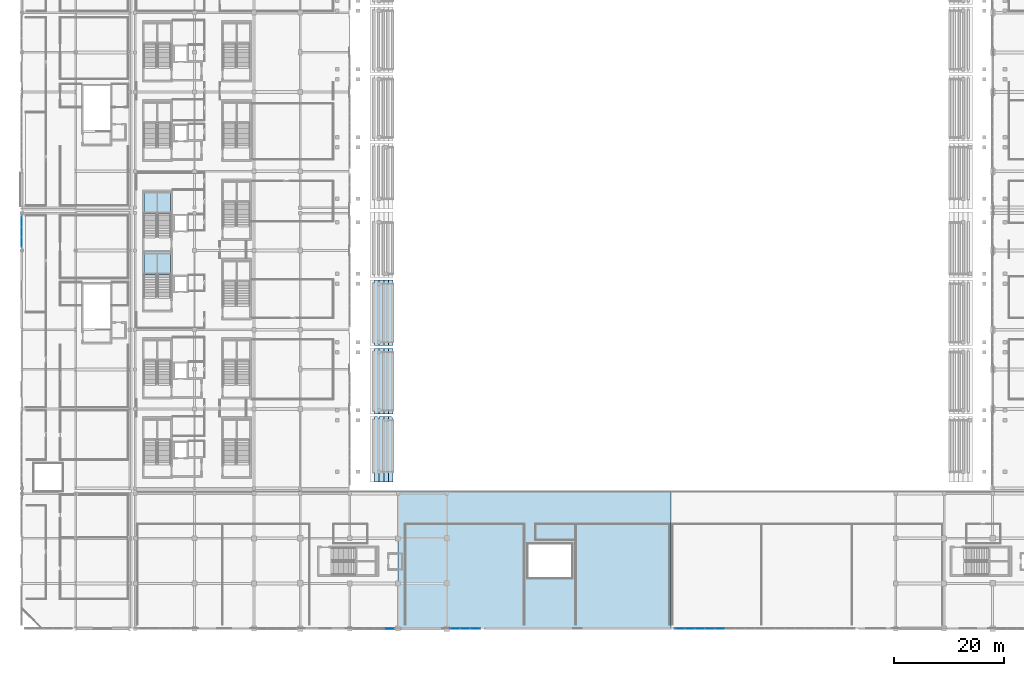
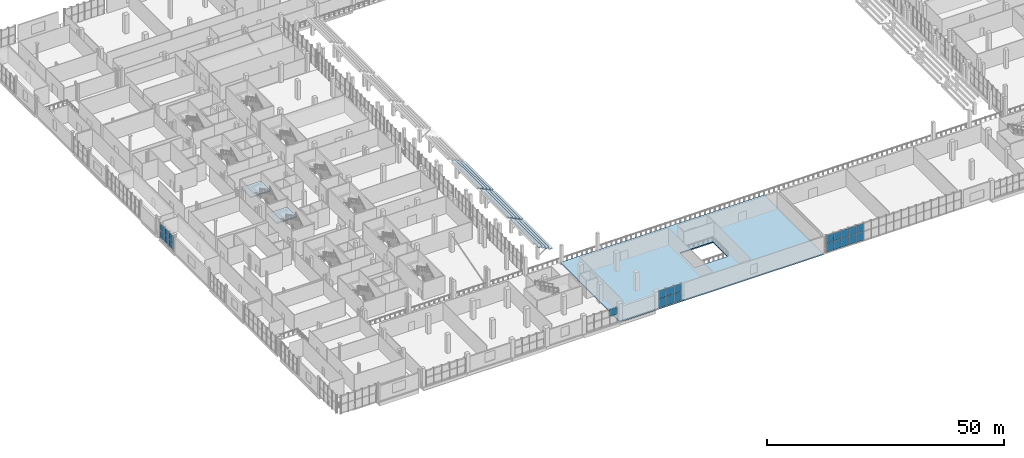
# One storey, part 75 of 142: 23 plates, 15 slabs, 6 elements without a shape of their own.
"""IFC4 building model written with IfcOpenShell, lengths in metres."""

import ifcopenshell
import ifcopenshell.guid

model = None  # the IFC model being written
_history = None  # IfcOwnerHistory: only IFC2X3 demands one
_inside = {}  # id of a spatial element -> (the spatial element, [elements in it])
_under = {}  # id of a project, library or spatial element -> (it, [spatial elements below it])
_declared = {}  # id of a project -> (the project, [libraries it declares])
_typed = {}  # id of a type object -> (the type object, [elements of that type])
_made_of = {}  # id of a material, layer set ... -> (it, [elements and type objects made of it])


def new_model(schema):
    """Start an empty IFC model of exactly this schema.

    Asked for "IFC4X3", IfcOpenShell would pick the latest addendum, in which some entities
    have other attributes; the version numbers below select the first issue.
    IFC2X3 requires an IfcOwnerHistory on every rooted entity: one is made here for all.
    """
    global model, _history
    if schema == "IFC4X3":
        model = ifcopenshell.file(schema_version=(4, 3, 0, 0))
    else:
        model = ifcopenshell.file(schema=schema)
    _inside.clear()
    _under.clear()
    _declared.clear()
    _typed.clear()
    _made_of.clear()
    _history = None
    if model.schema == "IFC2X3":
        org = make("IfcOrganization", Name="unknown")
        user = make(
            "IfcPersonAndOrganization",
            ThePerson=make("IfcPerson", FamilyName="unknown"),
            TheOrganization=org,
        )
        app = make(
            "IfcApplication",
            ApplicationDeveloper=org,
            Version="unknown",
            ApplicationFullName="unknown",
            ApplicationIdentifier="unknown",
        )
        _history = make(
            "IfcOwnerHistory",
            OwningUser=user,
            OwningApplication=app,
            ChangeAction="ADDED",
            CreationDate=0,
        )
    return model


def make(cls, **values):
    """One entity of the class cls with the attributes given. An attribute that is None is left unset."""
    return model.create_entity(
        cls, **{name: value for name, value in values.items() if value is not None}
    )


def rooted(cls, **values):
    """An entity with a GlobalId (a new one), such as an element, a storey or a relation."""
    return make(cls, GlobalId=ifcopenshell.guid.new(), OwnerHistory=_history, **values)


def si_unit(unit_type, name, prefix=None):
    """IfcSIUnit, for example si_unit("LENGTHUNIT", "METRE", prefix="MILLI")."""
    return make("IfcSIUnit", UnitType=unit_type, Prefix=prefix, Name=name)


def assignment(units):
    """IfcUnitAssignment: the units of a project."""
    return None if units is None else make("IfcUnitAssignment", Units=units)


def point(xyz):
    """IfcCartesianPoint."""
    return None if xyz is None else make("IfcCartesianPoint", Coordinates=xyz)


def direction(xyz):
    """IfcDirection."""
    return None if xyz is None else make("IfcDirection", DirectionRatios=xyz)


def frame(location, z_axis=None, x_axis=None):
    """IfcAxis2Placement3D, a coordinate frame: its origin and axes. An axis left out is left unset."""
    return make(
        "IfcAxis2Placement3D",
        Location=point(location),
        Axis=direction(z_axis),
        RefDirection=direction(x_axis),
    )


def frame_2d(location, x_axis=None):
    """IfcAxis2Placement2D, a coordinate frame in the plane: its origin and x axis."""
    return make(
        "IfcAxis2Placement2D", Location=point(location), RefDirection=direction(x_axis)
    )


def origin():
    """The frame at (0, 0, 0) with its axes left unset."""
    return frame((0.0, 0.0, 0.0))


def origin_2d():
    """The frame at (0, 0) in the plane with its x axis left unset."""
    return frame_2d((0.0, 0.0))


def place(relative_to, where):
    """IfcLocalPlacement: puts the frame where relative to a parent placement (None: the world)."""
    return make(
        "IfcLocalPlacement", PlacementRelTo=relative_to, RelativePlacement=where
    )


def context(
    kind, dimensions, precision=None, world=None, true_north=None, identifier=None
):
    """IfcGeometricRepresentationContext, for example the 3D "Model" context."""
    return make(
        "IfcGeometricRepresentationContext",
        ContextIdentifier=identifier,
        ContextType=kind,
        CoordinateSpaceDimension=dimensions,
        Precision=precision,
        WorldCoordinateSystem=world,
        TrueNorth=true_north,
    )


def subcontext(parent, identifier, kind, view, scale=None):
    """IfcGeometricRepresentationSubContext, for example "Body" below "Model"."""
    return make(
        "IfcGeometricRepresentationSubContext",
        ContextIdentifier=identifier,
        ContextType=kind,
        ParentContext=parent,
        TargetScale=scale,
        TargetView=view,
    )


def project(units=None, contexts=None):
    """IfcProject with its units and contexts."""
    return rooted(
        "IfcProject",
        Name="project",
        RepresentationContexts=contexts,
        UnitsInContext=assignment(units),
    )


def spatial(cls, under=None, at=None, **own):
    """A site, building, storey or space (cls), placed at a placement, below another one or the project."""
    s = rooted(cls, ObjectPlacement=at, **own)
    if under is not None:
        _under.setdefault(under.id(), (under, []))[1].append(s)
    return s


def polyline(points):
    """IfcPolyline through the points."""
    return make("IfcPolyline", Points=[point(p) for p in points])


def profile(cls, at=None, kind="AREA", **sizes):
    """A parametric profile (cls). Its sizes go by their IFC names, for example OverallWidth=200.0."""
    return make(cls, ProfileType=kind, Position=at, **sizes)


def rectangle(**sizes):
    """IfcRectangleProfileDef."""
    return profile("IfcRectangleProfileDef", **sizes)


def outline(outer, holes=None, kind="AREA"):
    """IfcArbitraryClosedProfileDef: a profile drawn as a closed curve; with holes, ...WithVoids."""
    if holes is None:
        return make("IfcArbitraryClosedProfileDef", ProfileType=kind, OuterCurve=outer)
    return make(
        "IfcArbitraryProfileDefWithVoids",
        ProfileType=kind,
        OuterCurve=outer,
        InnerCurves=holes,
    )


def extrude(swept, where, along, depth):
    """IfcExtrudedAreaSolid: the profile swept, set in the frame where, extruded along a direction by depth."""
    return make(
        "IfcExtrudedAreaSolid",
        SweptArea=swept,
        Position=where,
        ExtrudedDirection=direction(along),
        Depth=depth,
    )


def shape(context_of_items, identifier, shape_type, items):
    """IfcShapeRepresentation: the items that make up one representation, for example the "Body"."""
    return make(
        "IfcShapeRepresentation",
        ContextOfItems=context_of_items,
        RepresentationIdentifier=identifier,
        RepresentationType=shape_type,
        Items=items,
    )


def material(Name=None, Category=None):
    """IfcMaterial."""
    return make("IfcMaterial", Name=Name, Category=Category)


def layer(
    of_material, thickness, ventilated=None, Name=None, Category=None, Priority=None
):
    """IfcMaterialLayer: one layer of a wall or slab, of a material (None: an air gap)."""
    return make(
        "IfcMaterialLayer",
        Material=of_material,
        LayerThickness=thickness,
        IsVentilated=ventilated,
        Name=Name,
        Category=Category,
        Priority=Priority,
    )


def layer_set(layers, Name=None):
    """IfcMaterialLayerSet."""
    return make("IfcMaterialLayerSet", MaterialLayers=layers, LayerSetName=Name)


def made_of(thing, what):
    """Note that an element or type object is made of a material, layer set ...; save() writes the relation."""
    if what is not None:
        _made_of.setdefault(what.id(), (what, []))[1].append(thing)
    return thing


def type_object(cls, material=None, **own):
    """A type object (cls), such as IfcWallType, which elements share."""
    return made_of(rooted(cls, **own), material)


def element(
    cls,
    number,
    at=None,
    inside=None,
    cuts=None,
    type_object=None,
    material=None,
    context=None,
    identifier="Body",
    shape_type=None,
    held_by="IfcProductDefinitionShape",
    body=None,
    shapes=None,
    **own,
):
    """One element of the class cls, such as IfcWall. Its Tag is "e" and its number.

    at: its placement. inside: the storey or other place that contains it. cuts: it is an
    opening in that element (IfcRelVoidsElement). A single representation is given by context,
    identifier, shape_type and body (its items); several are given by shapes. held_by: the class
    of the entity that holds the representations. save() writes the other relations.
    """
    e = rooted(cls, Tag="e%d" % number, ObjectPlacement=at, **own)
    if body is not None:
        shapes = [shape(context, identifier, shape_type, body)]
    if shapes is not None:
        e.Representation = make(held_by, Representations=shapes)
    if inside is not None:
        _inside.setdefault(inside.id(), (inside, []))[1].append(e)
    if cuts is not None:
        rooted(
            "IfcRelVoidsElement", RelatingBuildingElement=cuts, RelatedOpeningElement=e
        )
    if type_object is not None:
        _typed.setdefault(type_object.id(), (type_object, []))[1].append(e)
    return made_of(e, material)


def aggregate(whole, parts):
    """IfcRelAggregates: a whole, such as a stair, and the parts it consists of."""
    return rooted("IfcRelAggregates", RelatingObject=whole, RelatedObjects=parts)


def save(model, path):
    """Write the relations noted so far, then the file.

    IfcRelAggregates (storeys below a building ...), IfcRelContainedInSpatialStructure (elements
    in a storey), IfcRelDefinesByType, IfcRelAssociatesMaterial and IfcRelDeclares: one each for
    every whole, place, type object, material and project.
    """
    for whole, parts in _under.values():
        aggregate(whole, parts)
    for where, things in _inside.values():
        rooted(
            "IfcRelContainedInSpatialStructure",
            RelatedElements=things,
            RelatingStructure=where,
        )
    for kind, things in _typed.values():
        rooted("IfcRelDefinesByType", RelatedObjects=things, RelatingType=kind)
    for what, things in _made_of.values():
        rooted("IfcRelAssociatesMaterial", RelatedObjects=things, RelatingMaterial=what)
    for by, libraries in _declared.values():
        rooted("IfcRelDeclares", RelatingContext=by, RelatedDefinitions=libraries)
    model.write(path)


model = new_model("IFC4")

# Units and contexts
model_context = context("Model", 3, precision=1e-05, world=origin(), true_north=direction((0.0, 1.0)))
body_context = subcontext(model_context, "Body", "Model", "MODEL_VIEW")
ifc_project = project(units=[si_unit("LENGTHUNIT", "METRE"), si_unit("AREAUNIT", "SQUARE_METRE"), si_unit("VOLUMEUNIT", "CUBIC_METRE"), si_unit("PLANEANGLEUNIT", "RADIAN"), si_unit("MASSUNIT", "GRAM", prefix="KILO")], contexts=[model_context])

# Site, building, storey
site_placement = place(None, origin())
site = spatial("IfcSite", under=ifc_project, at=site_placement, CompositionType="ELEMENT")
building_placement = place(site_placement, origin())
building = spatial("IfcBuilding", under=site, at=building_placement, Name="Koshinbarg Plaza Stadium", CompositionType="ELEMENT")
storey_placement = place(building_placement, frame((0.0, 0.0, 10.199951171875)))
storey = spatial("IfcBuildingStorey", under=building, at=storey_placement, Name="L02", CompositionType="ELEMENT", Elevation=10.199951171875)

# Curtain wall, plates
ifc_material_1 = material(Name="Thermally broken anodised aluminium and low-E double glazing", Category="aluminium")
curtain_wall_type_1 = type_object("IfcCurtainWallType", Name="CW-SYS-03", PredefinedType="NOTDEFINED", material=ifc_material_1)
curtain_wall_1_placement = place(storey_placement, origin())
curtain_wall_1 = element("IfcCurtainWall", 1, at=curtain_wall_1_placement, inside=storey, type_object=curtain_wall_type_1, Name="L02 unitised curtain wall CW-L02-066", PredefinedType="NOTDEFINED")
ifc_material_2 = material(Name="Solar-control low-E double glazing unit", Category="glass")
ifc_layer_1 = layer(ifc_material_2, 0.028076171875)
ifc_layer_set_1 = layer_set([ifc_layer_1], Name="Solar-control low-E double glazing unit")
plate_type_1 = type_object("IfcPlateType", Name="CW-PNL-28", PredefinedType="CURTAIN_PANEL", material=ifc_layer_set_1)
plate_1_placement = place(storey_placement, frame((86.438232421875, 0.0, 0.06005859375), z_axis=(0.0, 0.0, 1.0), x_axis=(-1.0, 0.0, 0.0)))
plate_1 = element("IfcPlate", 2, at=plate_1_placement, type_object=plate_type_1, Name="CW03 panel 1.1", PredefinedType="CURTAIN_PANEL", context=body_context, shape_type="SweptSolid", body=[
    extrude(rectangle(XDim=1.763427734375, YDim=0.028076171875, at=origin_2d()), origin(), (0.0, 0.0, 1.0), 2.239501953125),
])
plate_2_placement = place(storey_placement, frame((86.438232421875, 0.0, 2.35986328125), z_axis=(0.0, 0.0, 1.0), x_axis=(-1.0, 0.0, 0.0)))
plate_2 = element("IfcPlate", 3, at=plate_2_placement, type_object=plate_type_1, Name="CW03 panel 1.2", PredefinedType="CURTAIN_PANEL", context=body_context, shape_type="SweptSolid", body=[
    extrude(rectangle(XDim=1.763427734375, YDim=0.028076171875, at=origin_2d()), origin(), (0.0, 0.0, 1.0), 2.060302734375),
])
plate_3_placement = place(storey_placement, frame((84.60009765625, 0.0, 0.06005859375), z_axis=(0.0, 0.0, 1.0), x_axis=(-1.0, 0.0, 0.0)))
plate_3 = element("IfcPlate", 4, at=plate_3_placement, type_object=plate_type_1, Name="CW03 panel 2.1", PredefinedType="CURTAIN_PANEL", context=body_context, shape_type="SweptSolid", body=[
    extrude(rectangle(XDim=1.793212890625, YDim=0.028076171875, at=origin_2d()), origin(), (0.0, 0.0, 1.0), 2.239501953125),
])
plate_4_placement = place(storey_placement, frame((84.60009765625, 0.0, 2.35986328125), z_axis=(0.0, 0.0, 1.0), x_axis=(-1.0, 0.0, 0.0)))
plate_4 = element("IfcPlate", 5, at=plate_4_placement, type_object=plate_type_1, Name="CW03 panel 2.2", PredefinedType="CURTAIN_PANEL", context=body_context, shape_type="SweptSolid", body=[
    extrude(rectangle(XDim=1.793212890625, YDim=0.028076171875, at=origin_2d()), origin(), (0.0, 0.0, 1.0), 2.060302734375),
])
plate_5_placement = place(storey_placement, frame((82.76171875, 0.0, 0.06005859375), z_axis=(0.0, 0.0, 1.0), x_axis=(-1.0, 0.0, 0.0)))
plate_5 = element("IfcPlate", 6, at=plate_5_placement, type_object=plate_type_1, Name="CW03 panel 3.1", PredefinedType="CURTAIN_PANEL", context=body_context, shape_type="SweptSolid", body=[
    extrude(rectangle(XDim=1.763427734375, YDim=0.028076171875, at=origin_2d()), origin(), (0.0, 0.0, 1.0), 2.239501953125),
])
plate_6_placement = place(storey_placement, frame((82.76171875, 0.0, 2.35986328125), z_axis=(0.0, 0.0, 1.0), x_axis=(-1.0, 0.0, 0.0)))
plate_6 = element("IfcPlate", 7, at=plate_6_placement, type_object=plate_type_1, Name="CW03 panel 3.2", PredefinedType="CURTAIN_PANEL", context=body_context, shape_type="SweptSolid", body=[
    extrude(rectangle(XDim=1.763427734375, YDim=0.028076171875, at=origin_2d()), origin(), (0.0, 0.0, 1.0), 2.060302734375),
])
aggregate(curtain_wall_1, [plate_1, plate_2, plate_3, plate_4, plate_5, plate_6])

curtain_wall_type_2 = type_object("IfcCurtainWallType", Name="CW-SYS-10", PredefinedType="NOTDEFINED", material=ifc_material_1)
curtain_wall_2_placement = place(storey_placement, origin())
curtain_wall_2 = element("IfcCurtainWall", 8, at=curtain_wall_2_placement, inside=storey, type_object=curtain_wall_type_2, Name="L02 unitised curtain wall CW-L02-041", PredefinedType="NOTDEFINED")
ifc_material_3 = material(Name="Acoustic solar-control double glazing unit", Category="glass")
ifc_layer_2 = layer(ifc_material_3, 0.031982421875)
ifc_layer_set_2 = layer_set([ifc_layer_2], Name="Acoustic solar-control double glazing unit")
plate_type_2 = type_object("IfcPlateType", Name="CW-PNL-32", PredefinedType="CURTAIN_PANEL", material=ifc_layer_set_2)
plate_7_placement = place(storey_placement, frame((4.0, 70.26171875, 0.06005859375), z_axis=(0.0, 0.0, 1.0), x_axis=(0.0, 1.0, 0.0)))
plate_7 = element("IfcPlate", 9, at=plate_7_placement, type_object=plate_type_2, Name="CW10 panel 1.1", PredefinedType="CURTAIN_PANEL", context=body_context, shape_type="SweptSolid", body=[
    extrude(rectangle(XDim=1.763427734375, YDim=0.031982421875, at=origin_2d()), origin(), (0.0, 0.0, 1.0), 1.844482421875),
])
plate_8_placement = place(storey_placement, frame((4.0, 70.26171875, 1.96435546875), z_axis=(0.0, 0.0, 1.0), x_axis=(0.0, 1.0, 0.0)))
plate_8 = element("IfcPlate", 10, at=plate_8_placement, type_object=plate_type_2, Name="CW10 panel 1.2", PredefinedType="CURTAIN_PANEL", context=body_context, shape_type="SweptSolid", body=[
    extrude(rectangle(XDim=1.763427734375, YDim=0.031982421875, at=origin_2d()), origin(), (0.0, 0.0, 1.0), 1.695556640625),
])
plate_9_placement = place(storey_placement, frame((4.0, 72.10009765625, 0.06005859375), z_axis=(0.0, 0.0, 1.0), x_axis=(0.0, 1.0, 0.0)))
plate_9 = element("IfcPlate", 11, at=plate_9_placement, type_object=plate_type_2, Name="CW10 panel 2.1", PredefinedType="CURTAIN_PANEL", context=body_context, shape_type="SweptSolid", body=[
    extrude(rectangle(XDim=1.793212890625, YDim=0.031982421875, at=origin_2d()), origin(), (0.0, 0.0, 1.0), 1.844482421875),
])
plate_10_placement = place(storey_placement, frame((4.0, 72.10009765625, 1.96435546875), z_axis=(0.0, 0.0, 1.0), x_axis=(0.0, 1.0, 0.0)))
plate_10 = element("IfcPlate", 12, at=plate_10_placement, type_object=plate_type_2, Name="CW10 panel 2.2", PredefinedType="CURTAIN_PANEL", context=body_context, shape_type="SweptSolid", body=[
    extrude(rectangle(XDim=1.793212890625, YDim=0.031982421875, at=origin_2d()), origin(), (0.0, 0.0, 1.0), 1.695556640625),
])
plate_11_placement = place(storey_placement, frame((4.0, 73.938232421875, 0.06005859375), z_axis=(0.0, 0.0, 1.0), x_axis=(0.0, 1.0, 0.0)))
plate_11 = element("IfcPlate", 13, at=plate_11_placement, type_object=plate_type_2, Name="CW10 panel 3.1", PredefinedType="CURTAIN_PANEL", context=body_context, shape_type="SweptSolid", body=[
    extrude(rectangle(XDim=1.763427734375, YDim=0.031982421875, at=origin_2d()), origin(), (0.0, 0.0, 1.0), 1.844482421875),
])
plate_12_placement = place(storey_placement, frame((4.0, 73.938232421875, 1.96435546875), z_axis=(0.0, 0.0, 1.0), x_axis=(0.0, 1.0, 0.0)))
plate_12 = element("IfcPlate", 14, at=plate_12_placement, type_object=plate_type_2, Name="CW10 panel 3.2", PredefinedType="CURTAIN_PANEL", context=body_context, shape_type="SweptSolid", body=[
    extrude(rectangle(XDim=1.763427734375, YDim=0.031982421875, at=origin_2d()), origin(), (0.0, 0.0, 1.0), 1.695556640625),
])
aggregate(curtain_wall_2, [plate_7, plate_8, plate_9, plate_10, plate_11, plate_12])

curtain_wall_type_3 = type_object("IfcCurtainWallType", Name="CW-SYS-02", PredefinedType="NOTDEFINED", material=ifc_material_1)
curtain_wall_3_placement = place(storey_placement, origin())
curtain_wall_3 = element("IfcCurtainWall", 15, at=curtain_wall_3_placement, inside=storey, type_object=curtain_wall_type_3, Name="L02 unitised curtain wall CW-L02-065", PredefinedType="NOTDEFINED")
plate_13_placement = place(storey_placement, frame((130.81005859375, 0.0, 0.06005859375), z_axis=(0.0, 0.0, 1.0), x_axis=(-1.0, 0.0, 0.0)))
plate_13 = element("IfcPlate", 16, at=plate_13_placement, type_object=plate_type_2, Name="CW02 panel 14.1", PredefinedType="CURTAIN_PANEL", context=body_context, shape_type="SweptSolid", body=[
    extrude(rectangle(XDim=1.760009765625, YDim=0.031982421875, at=origin_2d()), origin(), (0.0, 0.0, 1.0), 2.239501953125),
])
plate_14_placement = place(storey_placement, frame((130.81005859375, 0.0, 2.35986328125), z_axis=(0.0, 0.0, 1.0), x_axis=(-1.0, 0.0, 0.0)))
plate_14 = element("IfcPlate", 17, at=plate_14_placement, type_object=plate_type_2, Name="CW02 panel 14.2", PredefinedType="CURTAIN_PANEL", context=body_context, shape_type="SweptSolid", body=[
    extrude(rectangle(XDim=1.760009765625, YDim=0.031982421875, at=origin_2d()), origin(), (0.0, 0.0, 1.0), 2.060302734375),
])
plate_15_placement = place(storey_placement, frame((128.989990234375, 0.0, 0.06005859375), z_axis=(0.0, 0.0, 1.0), x_axis=(-1.0, 0.0, 0.0)))
plate_15 = element("IfcPlate", 18, at=plate_15_placement, type_object=plate_type_2, Name="CW02 panel 15.1", PredefinedType="CURTAIN_PANEL", context=body_context, shape_type="SweptSolid", body=[
    extrude(rectangle(XDim=1.760009765625, YDim=0.031982421875, at=origin_2d()), origin(), (0.0, 0.0, 1.0), 2.239501953125),
])
plate_16_placement = place(storey_placement, frame((128.989990234375, 0.0, 2.35986328125), z_axis=(0.0, 0.0, 1.0), x_axis=(-1.0, 0.0, 0.0)))
plate_16 = element("IfcPlate", 19, at=plate_16_placement, type_object=plate_type_2, Name="CW02 panel 15.2", PredefinedType="CURTAIN_PANEL", context=body_context, shape_type="SweptSolid", body=[
    extrude(rectangle(XDim=1.760009765625, YDim=0.031982421875, at=origin_2d()), origin(), (0.0, 0.0, 1.0), 2.060302734375),
])
plate_17_placement = place(storey_placement, frame((127.169921875, 0.0, 0.06005859375), z_axis=(0.0, 0.0, 1.0), x_axis=(-1.0, 0.0, 0.0)))
plate_17 = element("IfcPlate", 20, at=plate_17_placement, type_object=plate_type_2, Name="CW02 panel 16.1", PredefinedType="CURTAIN_PANEL", context=body_context, shape_type="SweptSolid", body=[
    extrude(rectangle(XDim=1.760009765625, YDim=0.031982421875, at=origin_2d()), origin(), (0.0, 0.0, 1.0), 2.239501953125),
])
plate_18_placement = place(storey_placement, frame((127.169921875, 0.0, 2.35986328125), z_axis=(0.0, 0.0, 1.0), x_axis=(-1.0, 0.0, 0.0)))
plate_18 = element("IfcPlate", 21, at=plate_18_placement, type_object=plate_type_2, Name="CW02 panel 16.2", PredefinedType="CURTAIN_PANEL", context=body_context, shape_type="SweptSolid", body=[
    extrude(rectangle(XDim=1.760009765625, YDim=0.031982421875, at=origin_2d()), origin(), (0.0, 0.0, 1.0), 2.060302734375),
])
plate_19_placement = place(storey_placement, frame((125.35009765625, 0.0, 0.06005859375), z_axis=(0.0, 0.0, 1.0), x_axis=(-1.0, 0.0, 0.0)))
plate_19 = element("IfcPlate", 22, at=plate_19_placement, type_object=plate_type_2, Name="CW02 panel 17.1", PredefinedType="CURTAIN_PANEL", context=body_context, shape_type="SweptSolid", body=[
    extrude(rectangle(XDim=1.760009765625, YDim=0.031982421875, at=origin_2d()), origin(), (0.0, 0.0, 1.0), 2.239501953125),
])
plate_20_placement = place(storey_placement, frame((125.35009765625, 0.0, 2.35986328125), z_axis=(0.0, 0.0, 1.0), x_axis=(-1.0, 0.0, 0.0)))
plate_20 = element("IfcPlate", 23, at=plate_20_placement, type_object=plate_type_2, Name="CW02 panel 17.2", PredefinedType="CURTAIN_PANEL", context=body_context, shape_type="SweptSolid", body=[
    extrude(rectangle(XDim=1.760009765625, YDim=0.031982421875, at=origin_2d()), origin(), (0.0, 0.0, 1.0), 2.060302734375),
])
plate_21_placement = place(storey_placement, frame((123.544921875, 0.0, 0.06005859375), z_axis=(0.0, 0.0, 1.0), x_axis=(-1.0, 0.0, 0.0)))
plate_21 = element("IfcPlate", 24, at=plate_21_placement, type_object=plate_type_2, Name="CW02 panel 18.1", PredefinedType="CURTAIN_PANEL", context=body_context, shape_type="SweptSolid", body=[
    extrude(rectangle(XDim=1.72998046875, YDim=0.031982421875, at=origin_2d()), origin(), (0.0, 0.0, 1.0), 2.239501953125),
])
plate_22_placement = place(storey_placement, frame((123.544921875, 0.0, 2.35986328125), z_axis=(0.0, 0.0, 1.0), x_axis=(-1.0, 0.0, 0.0)))
plate_22 = element("IfcPlate", 25, at=plate_22_placement, type_object=plate_type_2, Name="CW02 panel 18.2", PredefinedType="CURTAIN_PANEL", context=body_context, shape_type="SweptSolid", body=[
    extrude(rectangle(XDim=1.72998046875, YDim=0.031982421875, at=origin_2d()), origin(), (0.0, 0.0, 1.0), 2.060302734375),
])
aggregate(curtain_wall_3, [plate_13, plate_14, plate_15, plate_16, plate_17, plate_18, plate_19, plate_20, plate_21, plate_22])

# Curtain wall, plate
curtain_wall_type_4 = type_object("IfcCurtainWallType", Name="CW-SYS-04", PredefinedType="NOTDEFINED", material=ifc_material_1)
curtain_wall_4_placement = place(storey_placement, origin())
curtain_wall_4 = element("IfcCurtainWall", 26, at=curtain_wall_4_placement, inside=storey, type_object=curtain_wall_type_4, Name="L02 unitised curtain wall CW-L02-067", PredefinedType="NOTDEFINED")
plate_23_placement = place(storey_placement, frame((70.820068359375, 0.0, 2.037353515625), z_axis=(0.0, 0.0, 1.0), x_axis=(-1.0, 0.0, 0.0)))
plate_23 = element("IfcPlate", 27, at=plate_23_placement, type_object=plate_type_2, Name="CW04 panel 1.2", PredefinedType="CURTAIN_PANEL", context=body_context, shape_type="SweptSolid", body=[
    extrude(rectangle(XDim=1.800048828125, YDim=0.031982421875, at=origin_2d()), origin(), (0.0, 0.0, 1.0), 1.7626953125),
])
aggregate(curtain_wall_4, [plate_23])

# Slab
ifc_material_4 = material(Name="Concrete C35/45", Category="concrete")
ifc_layer_3 = layer(ifc_material_4, 0.300048828125)
ifc_layer_set_3 = layer_set([ifc_layer_3], Name="Concrete C35/45")
slab_type_1 = type_object("IfcSlabType", Name="SL-FLR-300", PredefinedType="FLOOR", material=ifc_layer_set_3)
slab_1_placement = place(storey_placement, frame((0.0, 0.0, -0.300048828125)))
element("IfcSlab", 28, at=slab_1_placement, inside=storey, type_object=slab_type_1, Name="L02 V4 structural slab 15", PredefinedType="FLOOR", context=body_context, shape_type="SweptSolid", body=[
    extrude(outline(polyline([(72.39990234375, 0.0), (122.0, 0.0), (122.0, 24.955078125), (72.39990234375, 24.955078125), (72.39990234375, 0.0)]), holes=[polyline([(96.0, 9.199951171875), (104.0, 9.199951171875), (104.0, 15.39990234375), (96.0, 15.39990234375), (96.0, 9.199951171875)])]), origin(), (0.0, 0.0, 1.0), 0.300048828125),
])

# Stair, slab
stair_type = type_object("IfcStairType", Name="ST-CORE-48", PredefinedType="HALF_TURN_STAIR", material=ifc_material_4)
stair_1_placement = place(storey_placement, origin())
stair_1 = element("IfcStair", 29, at=stair_1_placement, inside=storey, type_object=stair_type, Name="L02 Protected Exit Stair C03", PredefinedType="HALF_TURN_STAIR")
ifc_layer_4 = layer(ifc_material_4, 0.320068359375)
ifc_layer_set_4 = layer_set([ifc_layer_4], Name="Concrete C35/45")
slab_type_2 = type_object("IfcSlabType", Name="SL-STLAND-280", PredefinedType="LANDING", material=ifc_layer_set_4)
slab_2_placement = place(storey_placement, frame((0.0, 0.0, 2.080078125)))
slab_2 = element("IfcSlab", 30, at=slab_2_placement, type_object=slab_type_2, Name="L02 Protected Exit Stair C03 landing 015", PredefinedType="LANDING", context=body_context, shape_type="SweptSolid", body=[
    extrude(outline(polyline([(31.070068359375, 64.360107421875), (31.070068359375, 68.39990234375), (26.199951171875, 68.39990234375), (26.199951171875, 64.360107421875), (31.070068359375, 64.360107421875)])), origin(), (0.0, 0.0, 1.0), 0.320068359375),
])
aggregate(stair_1, [slab_2])

stair_2_placement = place(storey_placement, origin())
stair_2 = element("IfcStair", 31, at=stair_2_placement, inside=storey, type_object=stair_type, Name="L02 Protected Exit Stair C04", PredefinedType="HALF_TURN_STAIR")
slab_3_placement = place(storey_placement, frame((0.0, 0.0, 2.080078125)))
slab_3 = element("IfcSlab", 32, at=slab_3_placement, type_object=slab_type_2, Name="L02 Protected Exit Stair C04 landing 021", PredefinedType="LANDING", context=body_context, shape_type="SweptSolid", body=[
    extrude(outline(polyline([(31.070068359375, 75.360107421875), (31.070068359375, 79.39990234375), (26.199951171875, 79.39990234375), (26.199951171875, 75.360107421875), (31.070068359375, 75.360107421875)])), origin(), (0.0, 0.0, 1.0), 0.320068359375),
])
aggregate(stair_2, [slab_3])

# Slabs
ifc_material_5 = material(Name="Precast concrete C40/50", Category="concrete")
ifc_layer_5 = layer(ifc_material_5, 0.199951171875)
ifc_layer_set_5 = layer_set([ifc_layer_5], Name="Precast concrete C40/50")
slab_type_3 = type_object("IfcSlabType", Name="SL-TIER-UT", PredefinedType="USERDEFINED", material=ifc_layer_set_5)
slab_4_placement = place(storey_placement, frame((0.0, 0.0, 2.820068359375)))
element("IfcSlab", 33, at=slab_4_placement, inside=storey, type_object=slab_type_3, Name="Stand upper seating tier UT-W01 row 1", ObjectType="SEATING TIER", PredefinedType="USERDEFINED", context=body_context, shape_type="SweptSolid", body=[
    extrude(outline(polyline([(70.64990234375, 26.60009765625), (71.5, 26.60009765625), (71.5, 38.14990234375), (71.14990234375, 38.5), (70.64990234375, 38.5), (70.64990234375, 26.60009765625)])), origin(), (0.0, 0.0, 1.0), 0.199951171875),
])
slab_5_placement = place(storey_placement, frame((0.0, 0.0, 3.260009765625)))
element("IfcSlab", 34, at=slab_5_placement, inside=storey, type_object=slab_type_3, Name="Stand upper seating tier UT-W01 row 2", ObjectType="SEATING TIER", PredefinedType="USERDEFINED", context=body_context, shape_type="SweptSolid", body=[
    extrude(outline(polyline([(69.800048828125, 26.60009765625), (70.64990234375, 26.60009765625), (70.64990234375, 38.5), (69.800048828125, 38.5), (69.800048828125, 26.60009765625)])), origin(), (0.0, 0.0, 1.0), 0.199951171875),
])
slab_6_placement = place(storey_placement, frame((0.0, 0.0, 3.699951171875)))
element("IfcSlab", 35, at=slab_6_placement, inside=storey, type_object=slab_type_3, Name="Stand upper seating tier UT-W01 row 3", ObjectType="SEATING TIER", PredefinedType="USERDEFINED", context=body_context, shape_type="SweptSolid", body=[
    extrude(outline(polyline([(68.949951171875, 26.60009765625), (69.800048828125, 26.60009765625), (69.800048828125, 38.5), (68.949951171875, 38.5), (68.949951171875, 26.60009765625)])), origin(), (0.0, 0.0, 1.0), 0.2001953125),
])
slab_7_placement = place(storey_placement, frame((0.0, 0.0, 4.14013671875)))
element("IfcSlab", 36, at=slab_7_placement, inside=storey, type_object=slab_type_3, Name="Stand upper seating tier UT-W01 row 4", ObjectType="SEATING TIER", PredefinedType="USERDEFINED", context=body_context, shape_type="SweptSolid", body=[
    extrude(outline(polyline([(68.10009765625, 26.60009765625), (68.949951171875, 26.60009765625), (68.949951171875, 38.14990234375), (68.60009765625, 38.5), (68.10009765625, 38.5), (68.10009765625, 26.60009765625)])), origin(), (0.0, 0.0, 1.0), 0.199951171875),
])
slab_8_placement = place(storey_placement, frame((0.0, 0.0, 2.820068359375)))
element("IfcSlab", 37, at=slab_8_placement, inside=storey, type_object=slab_type_3, Name="Stand upper seating tier UT-W02 row 1", ObjectType="SEATING TIER", PredefinedType="USERDEFINED", context=body_context, shape_type="SweptSolid", body=[
    extrude(outline(polyline([(70.64990234375, 39.0), (71.5, 39.0), (71.5, 50.89990234375), (70.64990234375, 50.89990234375), (70.64990234375, 39.0)])), origin(), (0.0, 0.0, 1.0), 0.199951171875),
])
slab_9_placement = place(storey_placement, frame((0.0, 0.0, 3.260009765625)))
element("IfcSlab", 38, at=slab_9_placement, inside=storey, type_object=slab_type_3, Name="Stand upper seating tier UT-W02 row 2", ObjectType="SEATING TIER", PredefinedType="USERDEFINED", context=body_context, shape_type="SweptSolid", body=[
    extrude(outline(polyline([(69.800048828125, 39.0), (70.64990234375, 39.0), (70.64990234375, 50.89990234375), (69.800048828125, 50.89990234375), (69.800048828125, 39.0)])), origin(), (0.0, 0.0, 1.0), 0.199951171875),
])
slab_10_placement = place(storey_placement, frame((0.0, 0.0, 3.699951171875)))
element("IfcSlab", 39, at=slab_10_placement, inside=storey, type_object=slab_type_3, Name="Stand upper seating tier UT-W02 row 3", ObjectType="SEATING TIER", PredefinedType="USERDEFINED", context=body_context, shape_type="SweptSolid", body=[
    extrude(outline(polyline([(68.949951171875, 39.0), (69.800048828125, 39.0), (69.800048828125, 50.89990234375), (68.949951171875, 50.89990234375), (68.949951171875, 39.0)])), origin(), (0.0, 0.0, 1.0), 0.2001953125),
])
slab_11_placement = place(storey_placement, frame((0.0, 0.0, 4.14013671875)))
element("IfcSlab", 40, at=slab_11_placement, inside=storey, type_object=slab_type_3, Name="Stand upper seating tier UT-W02 row 4", ObjectType="SEATING TIER", PredefinedType="USERDEFINED", context=body_context, shape_type="SweptSolid", body=[
    extrude(outline(polyline([(68.10009765625, 39.0), (68.949951171875, 39.0), (68.949951171875, 50.89990234375), (68.10009765625, 50.89990234375), (68.10009765625, 39.0)])), origin(), (0.0, 0.0, 1.0), 0.199951171875),
])
slab_12_placement = place(storey_placement, frame((0.0, 0.0, 2.820068359375)))
element("IfcSlab", 41, at=slab_12_placement, inside=storey, type_object=slab_type_3, Name="Stand upper seating tier UT-W03 row 1", ObjectType="SEATING TIER", PredefinedType="USERDEFINED", context=body_context, shape_type="SweptSolid", body=[
    extrude(outline(polyline([(70.64990234375, 51.39990234375), (71.5, 51.39990234375), (71.5, 63.300048828125), (70.64990234375, 63.300048828125), (70.64990234375, 51.39990234375)])), origin(), (0.0, 0.0, 1.0), 0.199951171875),
])
slab_13_placement = place(storey_placement, frame((0.0, 0.0, 3.260009765625)))
element("IfcSlab", 42, at=slab_13_placement, inside=storey, type_object=slab_type_3, Name="Stand upper seating tier UT-W03 row 2", ObjectType="SEATING TIER", PredefinedType="USERDEFINED", context=body_context, shape_type="SweptSolid", body=[
    extrude(outline(polyline([(69.800048828125, 51.39990234375), (70.64990234375, 51.39990234375), (70.64990234375, 63.300048828125), (69.800048828125, 63.300048828125), (69.800048828125, 51.39990234375)])), origin(), (0.0, 0.0, 1.0), 0.199951171875),
])
slab_14_placement = place(storey_placement, frame((0.0, 0.0, 3.699951171875)))
element("IfcSlab", 43, at=slab_14_placement, inside=storey, type_object=slab_type_3, Name="Stand upper seating tier UT-W03 row 3", ObjectType="SEATING TIER", PredefinedType="USERDEFINED", context=body_context, shape_type="SweptSolid", body=[
    extrude(outline(polyline([(68.949951171875, 51.39990234375), (69.800048828125, 51.39990234375), (69.800048828125, 63.300048828125), (68.949951171875, 63.300048828125), (68.949951171875, 51.39990234375)])), origin(), (0.0, 0.0, 1.0), 0.2001953125),
])
slab_15_placement = place(storey_placement, frame((0.0, 0.0, 4.14013671875)))
element("IfcSlab", 44, at=slab_15_placement, inside=storey, type_object=slab_type_3, Name="Stand upper seating tier UT-W03 row 4", ObjectType="SEATING TIER", PredefinedType="USERDEFINED", context=body_context, shape_type="SweptSolid", body=[
    extrude(outline(polyline([(68.10009765625, 51.39990234375), (68.949951171875, 51.39990234375), (68.949951171875, 63.300048828125), (68.10009765625, 63.300048828125), (68.10009765625, 51.39990234375)])), origin(), (0.0, 0.0, 1.0), 0.199951171875),
])

save(model, "model.ifc")
